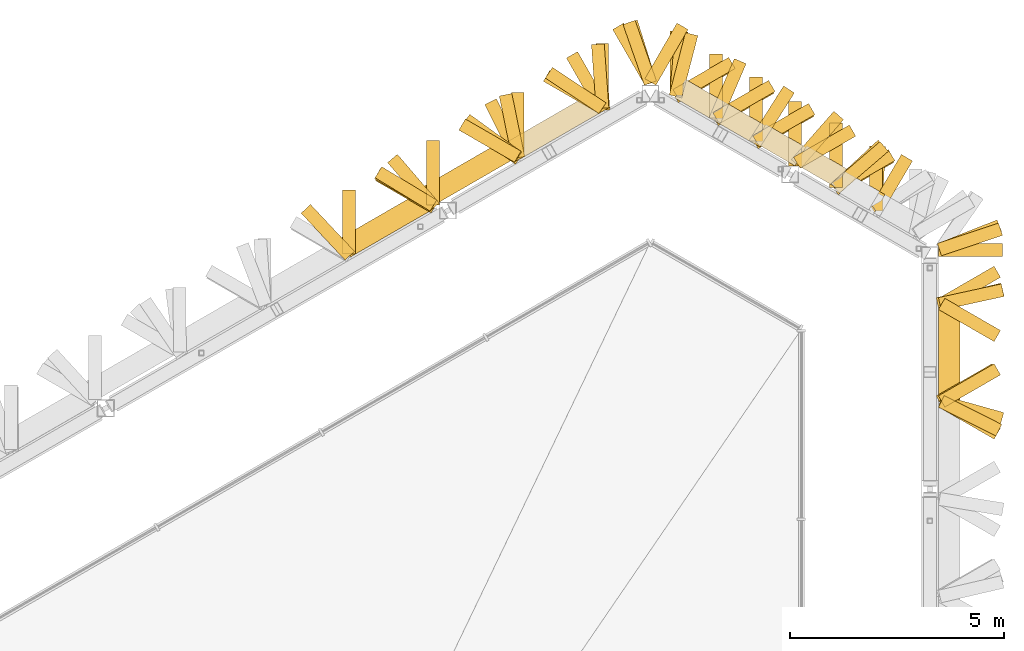
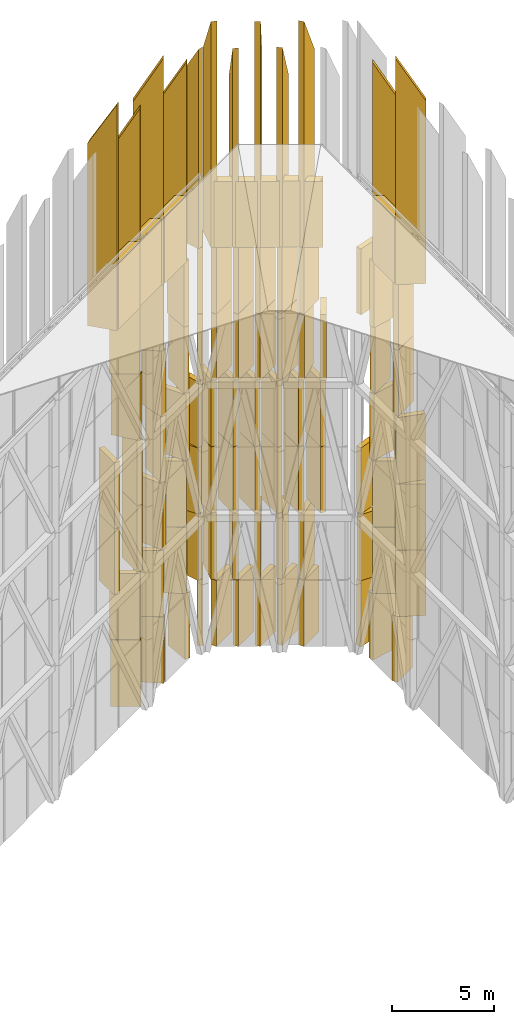
# One storey, part 44 of 45: 96 shading devices.
"""IFC4 building model written with IfcOpenShell, lengths in metres."""

import ifcopenshell
import ifcopenshell.guid

model = None  # the IFC model being written
_history = None  # IfcOwnerHistory: only IFC2X3 demands one
_inside = {}  # id of a spatial element -> (the spatial element, [elements in it])
_under = {}  # id of a project, library or spatial element -> (it, [spatial elements below it])
_declared = {}  # id of a project -> (the project, [libraries it declares])
_typed = {}  # id of a type object -> (the type object, [elements of that type])
_made_of = {}  # id of a material, layer set ... -> (it, [elements and type objects made of it])


def new_model(schema):
    """Start an empty IFC model of exactly this schema.

    Asked for "IFC4X3", IfcOpenShell would pick the latest addendum, in which some entities
    have other attributes; the version numbers below select the first issue.
    IFC2X3 requires an IfcOwnerHistory on every rooted entity: one is made here for all.
    """
    global model, _history
    if schema == "IFC4X3":
        model = ifcopenshell.file(schema_version=(4, 3, 0, 0))
    else:
        model = ifcopenshell.file(schema=schema)
    _inside.clear()
    _under.clear()
    _declared.clear()
    _typed.clear()
    _made_of.clear()
    _history = None
    if model.schema == "IFC2X3":
        org = make("IfcOrganization", Name="unknown")
        user = make(
            "IfcPersonAndOrganization",
            ThePerson=make("IfcPerson", FamilyName="unknown"),
            TheOrganization=org,
        )
        app = make(
            "IfcApplication",
            ApplicationDeveloper=org,
            Version="unknown",
            ApplicationFullName="unknown",
            ApplicationIdentifier="unknown",
        )
        _history = make(
            "IfcOwnerHistory",
            OwningUser=user,
            OwningApplication=app,
            ChangeAction="ADDED",
            CreationDate=0,
        )
    return model


def make(cls, **values):
    """One entity of the class cls with the attributes given. An attribute that is None is left unset."""
    return model.create_entity(
        cls, **{name: value for name, value in values.items() if value is not None}
    )


def rooted(cls, **values):
    """An entity with a GlobalId (a new one), such as an element, a storey or a relation."""
    return make(cls, GlobalId=ifcopenshell.guid.new(), OwnerHistory=_history, **values)


def si_unit(unit_type, name, prefix=None):
    """IfcSIUnit, for example si_unit("LENGTHUNIT", "METRE", prefix="MILLI")."""
    return make("IfcSIUnit", UnitType=unit_type, Prefix=prefix, Name=name)


def assignment(units):
    """IfcUnitAssignment: the units of a project."""
    return None if units is None else make("IfcUnitAssignment", Units=units)


def point(xyz):
    """IfcCartesianPoint."""
    return None if xyz is None else make("IfcCartesianPoint", Coordinates=xyz)


def direction(xyz):
    """IfcDirection."""
    return None if xyz is None else make("IfcDirection", DirectionRatios=xyz)


def frame(location, z_axis=None, x_axis=None):
    """IfcAxis2Placement3D, a coordinate frame: its origin and axes. An axis left out is left unset."""
    return make(
        "IfcAxis2Placement3D",
        Location=point(location),
        Axis=direction(z_axis),
        RefDirection=direction(x_axis),
    )


def frame_2d(location, x_axis=None):
    """IfcAxis2Placement2D, a coordinate frame in the plane: its origin and x axis."""
    return make(
        "IfcAxis2Placement2D", Location=point(location), RefDirection=direction(x_axis)
    )


def origin():
    """The frame at (0, 0, 0) with its axes left unset."""
    return frame((0.0, 0.0, 0.0))


def place(relative_to, where):
    """IfcLocalPlacement: puts the frame where relative to a parent placement (None: the world)."""
    return make(
        "IfcLocalPlacement", PlacementRelTo=relative_to, RelativePlacement=where
    )


def context(
    kind, dimensions, precision=None, world=None, true_north=None, identifier=None
):
    """IfcGeometricRepresentationContext, for example the 3D "Model" context."""
    return make(
        "IfcGeometricRepresentationContext",
        ContextIdentifier=identifier,
        ContextType=kind,
        CoordinateSpaceDimension=dimensions,
        Precision=precision,
        WorldCoordinateSystem=world,
        TrueNorth=true_north,
    )


def subcontext(parent, identifier, kind, view, scale=None):
    """IfcGeometricRepresentationSubContext, for example "Body" below "Model"."""
    return make(
        "IfcGeometricRepresentationSubContext",
        ContextIdentifier=identifier,
        ContextType=kind,
        ParentContext=parent,
        TargetScale=scale,
        TargetView=view,
    )


def project(units=None, contexts=None):
    """IfcProject with its units and contexts."""
    return rooted(
        "IfcProject",
        Name="project",
        RepresentationContexts=contexts,
        UnitsInContext=assignment(units),
    )


def spatial(cls, under=None, at=None, **own):
    """A site, building, storey or space (cls), placed at a placement, below another one or the project."""
    s = rooted(cls, ObjectPlacement=at, **own)
    if under is not None:
        _under.setdefault(under.id(), (under, []))[1].append(s)
    return s


def polyline(points):
    """IfcPolyline through the points."""
    return make("IfcPolyline", Points=[point(p) for p in points])


def profile(cls, at=None, kind="AREA", **sizes):
    """A parametric profile (cls). Its sizes go by their IFC names, for example OverallWidth=200.0."""
    return make(cls, ProfileType=kind, Position=at, **sizes)


def rectangle(**sizes):
    """IfcRectangleProfileDef."""
    return profile("IfcRectangleProfileDef", **sizes)


def outline(outer, holes=None, kind="AREA"):
    """IfcArbitraryClosedProfileDef: a profile drawn as a closed curve; with holes, ...WithVoids."""
    if holes is None:
        return make("IfcArbitraryClosedProfileDef", ProfileType=kind, OuterCurve=outer)
    return make(
        "IfcArbitraryProfileDefWithVoids",
        ProfileType=kind,
        OuterCurve=outer,
        InnerCurves=holes,
    )


def extrude(swept, where, along, depth):
    """IfcExtrudedAreaSolid: the profile swept, set in the frame where, extruded along a direction by depth."""
    return make(
        "IfcExtrudedAreaSolid",
        SweptArea=swept,
        Position=where,
        ExtrudedDirection=direction(along),
        Depth=depth,
    )


def shape(context_of_items, identifier, shape_type, items):
    """IfcShapeRepresentation: the items that make up one representation, for example the "Body"."""
    return make(
        "IfcShapeRepresentation",
        ContextOfItems=context_of_items,
        RepresentationIdentifier=identifier,
        RepresentationType=shape_type,
        Items=items,
    )


def material(Name=None, Category=None):
    """IfcMaterial."""
    return make("IfcMaterial", Name=Name, Category=Category)


def layer(
    of_material, thickness, ventilated=None, Name=None, Category=None, Priority=None
):
    """IfcMaterialLayer: one layer of a wall or slab, of a material (None: an air gap)."""
    return make(
        "IfcMaterialLayer",
        Material=of_material,
        LayerThickness=thickness,
        IsVentilated=ventilated,
        Name=Name,
        Category=Category,
        Priority=Priority,
    )


def layer_set(layers, Name=None):
    """IfcMaterialLayerSet."""
    return make("IfcMaterialLayerSet", MaterialLayers=layers, LayerSetName=Name)


def made_of(thing, what):
    """Note that an element or type object is made of a material, layer set ...; save() writes the relation."""
    if what is not None:
        _made_of.setdefault(what.id(), (what, []))[1].append(thing)
    return thing


def type_object(cls, material=None, **own):
    """A type object (cls), such as IfcWallType, which elements share."""
    return made_of(rooted(cls, **own), material)


def element(
    cls,
    number,
    at=None,
    inside=None,
    cuts=None,
    type_object=None,
    material=None,
    context=None,
    identifier="Body",
    shape_type=None,
    held_by="IfcProductDefinitionShape",
    body=None,
    shapes=None,
    **own,
):
    """One element of the class cls, such as IfcWall. Its Tag is "e" and its number.

    at: its placement. inside: the storey or other place that contains it. cuts: it is an
    opening in that element (IfcRelVoidsElement). A single representation is given by context,
    identifier, shape_type and body (its items); several are given by shapes. held_by: the class
    of the entity that holds the representations. save() writes the other relations.
    """
    e = rooted(cls, Tag="e%d" % number, ObjectPlacement=at, **own)
    if body is not None:
        shapes = [shape(context, identifier, shape_type, body)]
    if shapes is not None:
        e.Representation = make(held_by, Representations=shapes)
    if inside is not None:
        _inside.setdefault(inside.id(), (inside, []))[1].append(e)
    if cuts is not None:
        rooted(
            "IfcRelVoidsElement", RelatingBuildingElement=cuts, RelatedOpeningElement=e
        )
    if type_object is not None:
        _typed.setdefault(type_object.id(), (type_object, []))[1].append(e)
    return made_of(e, material)


def aggregate(whole, parts):
    """IfcRelAggregates: a whole, such as a stair, and the parts it consists of."""
    return rooted("IfcRelAggregates", RelatingObject=whole, RelatedObjects=parts)


def save(model, path):
    """Write the relations noted so far, then the file.

    IfcRelAggregates (storeys below a building ...), IfcRelContainedInSpatialStructure (elements
    in a storey), IfcRelDefinesByType, IfcRelAssociatesMaterial and IfcRelDeclares: one each for
    every whole, place, type object, material and project.
    """
    for whole, parts in _under.values():
        aggregate(whole, parts)
    for where, things in _inside.values():
        rooted(
            "IfcRelContainedInSpatialStructure",
            RelatedElements=things,
            RelatingStructure=where,
        )
    for kind, things in _typed.values():
        rooted("IfcRelDefinesByType", RelatedObjects=things, RelatingType=kind)
    for what, things in _made_of.values():
        rooted("IfcRelAssociatesMaterial", RelatedObjects=things, RelatingMaterial=what)
    for by, libraries in _declared.values():
        rooted("IfcRelDeclares", RelatingContext=by, RelatedDefinitions=libraries)
    model.write(path)


model = new_model("IFC4")

# Units and contexts
model_context = context("Model", 3, precision=1e-05, world=origin(), true_north=direction((0.0, 1.0)))
body_context = subcontext(model_context, "Body", "Model", "MODEL_VIEW")
ifc_project = project(units=[si_unit("LENGTHUNIT", "METRE"), si_unit("AREAUNIT", "SQUARE_METRE"), si_unit("VOLUMEUNIT", "CUBIC_METRE"), si_unit("PLANEANGLEUNIT", "RADIAN"), si_unit("MASSUNIT", "GRAM", prefix="KILO")], contexts=[model_context])

# Site, building, storey
site_placement = place(None, origin())
site = spatial("IfcSite", under=ifc_project, at=site_placement, CompositionType="ELEMENT")
building_placement = place(site_placement, origin())
building = spatial("IfcBuilding", under=site, at=building_placement, Name="Jabali Bay Hotel Tower and Convention Centre", CompositionType="ELEMENT")
storey_placement = place(building_placement, frame((0.0, 0.0, 322.39990234375)))
storey = spatial("IfcBuildingStorey", under=building, at=storey_placement, Name="Crown", CompositionType="ELEMENT", Elevation=322.39990234375)

# Shading devices
ifc_material_1 = material(Name="Aluminium 6063", Category="aluminium")
shading_device_type_1 = type_object("IfcShadingDeviceType", Name="Louvre bank", PredefinedType="USERDEFINED", material=ifc_material_1)
shading_device_1_placement = place(storey_placement, frame((0.0, 0.0, 23.92431640625)))
element("IfcShadingDevice", 1, at=shading_device_1_placement, inside=storey, type_object=shading_device_type_1, Name="Louvre 7.0.19", ObjectType="LOUVRE", PredefinedType="USERDEFINED", context=body_context, shape_type="SweptSolid", body=[
    extrude(outline(polyline([(93.348876953125, 102.6337890625), (93.348876953125, 100.4873046875), (93.416015625, 100.4873046875), (93.483154296875, 100.62158203125), (93.750732421875, 100.4873046875), (93.848876953125, 100.4873046875), (93.848876953125, 102.34521484375), (93.348876953125, 102.6337890625)])), origin(), (0.0, 0.0, 1.0), 3.9658203125),
])
shading_device_2_placement = place(storey_placement, frame((0.0, 0.0, 23.92431640625)))
element("IfcShadingDevice", 2, at=shading_device_2_placement, inside=storey, type_object=shading_device_type_1, Name="Louvre 7.1.22", ObjectType="LOUVRE", PredefinedType="USERDEFINED", context=body_context, shape_type="SweptSolid", body=[
    extrude(outline(polyline([(91.04150390625, 105.349609375), (91.850830078125, 104.88232421875), (91.884033203125, 104.939453125), (91.80029296875, 105.06396484375), (92.05419921875, 105.234375), (92.100830078125, 105.315185546875), (91.4443359375, 105.6943359375), (91.04150390625, 105.349609375)])), origin(), (0.0, 0.0, 1.0), 3.9658203125),
])
shading_device_3_placement = place(storey_placement, frame((0.0, 0.0, 23.92431640625)))
element("IfcShadingDevice", 3, at=shading_device_3_placement, inside=storey, type_object=shading_device_type_1, Name="Louvre 7.1.23", ObjectType="LOUVRE", PredefinedType="USERDEFINED", context=body_context, shape_type="SweptSolid", body=[
    extrude(outline(polyline([(90.153564453125, 105.94677734375), (90.8984375, 105.5166015625), (90.846435546875, 105.577392578125), (91.16943359375, 105.85400390625), (91.20556640625, 105.916748046875), (90.489990234375, 106.329833984375), (90.153564453125, 105.94677734375)])), origin(), (0.0, 0.0, 1.0), 3.9658203125),
])
shading_device_4_placement = place(storey_placement, frame((0.0, 0.0, 23.92431640625)))
element("IfcShadingDevice", 4, at=shading_device_4_placement, inside=storey, type_object=shading_device_type_1, Name="Louvre 7.1.24", ObjectType="LOUVRE", PredefinedType="USERDEFINED", context=body_context, shape_type="SweptSolid", body=[
    extrude(outline(polyline([(89.201416015625, 106.447509765625), (90.00244140625, 105.985107421875), (90.031005859375, 106.034423828125), (89.918212890625, 106.13330078125), (90.19677734375, 106.450439453125), (89.468994140625, 106.870361328125), (89.201416015625, 106.447509765625)])), origin(), (0.0, 0.0, 1.0), 3.9658203125),
])
shading_device_5_placement = place(storey_placement, frame((0.0, 0.0, 23.92431640625)))
element("IfcShadingDevice", 5, at=shading_device_5_placement, inside=storey, type_object=shading_device_type_1, Name="Louvre 7.1.25", ObjectType="LOUVRE", PredefinedType="USERDEFINED", context=body_context, shape_type="SweptSolid", body=[
    extrude(outline(polyline([(88.123291015625, 107.034423828125), (89.05517578125, 106.496337890625), (89.05810546875, 106.501708984375), (88.931396484375, 106.581787109375), (89.192626953125, 106.994384765625), (88.454345703125, 107.420654296875), (88.27001953125, 106.99072265625), (88.132080078125, 107.0498046875), (88.123291015625, 107.034423828125)])), origin(), (0.0, 0.0, 1.0), 3.9658203125),
])
shading_device_6_placement = place(storey_placement, frame((0.0, 0.0, 23.92431640625)))
element("IfcShadingDevice", 6, at=shading_device_6_placement, inside=storey, type_object=shading_device_type_1, Name="Louvre 7.1.26", ObjectType="LOUVRE", PredefinedType="USERDEFINED", context=body_context, shape_type="SweptSolid", body=[
    extrude(outline(polyline([(87.19140625, 107.572509765625), (87.994140625, 107.10888671875), (88.192626953125, 107.57177734375), (87.466064453125, 107.9912109375), (87.3564453125, 107.5693359375), (87.211181640625, 107.60693359375), (87.19140625, 107.572509765625)])), origin(), (0.0, 0.0, 1.0), 3.9658203125),
])
shading_device_7_placement = place(storey_placement, frame((0.0, 0.0, 23.92431640625)))
element("IfcShadingDevice", 7, at=shading_device_7_placement, inside=storey, type_object=shading_device_type_1, Name="Louvre 7.2.28", ObjectType="LOUVRE", PredefinedType="USERDEFINED", context=body_context, shape_type="SweptSolid", body=[
    extrude(outline(polyline([(83.568115234375, 106.13427734375), (85.42333984375, 107.205322265625), (84.958251953125, 107.513916015625), (83.318115234375, 106.567138671875), (83.380859375, 106.458984375), (83.605712890625, 106.3291015625), (83.53076171875, 106.19921875), (83.568115234375, 106.13427734375)])), origin(), (0.0, 0.0, 1.0), 3.9658203125),
])
shading_device_8_placement = place(storey_placement, frame((0.0, 0.0, 23.92431640625)))
element("IfcShadingDevice", 8, at=shading_device_8_placement, inside=storey, type_object=shading_device_type_1, Name="Louvre 7.2.29", ObjectType="LOUVRE", PredefinedType="USERDEFINED", context=body_context, shape_type="SweptSolid", body=[
    extrude(outline(polyline([(81.561767578125, 105.060302734375), (83.382568359375, 106.111572265625), (82.882568359375, 106.400146484375), (81.310302734375, 105.492431640625), (81.405029296875, 105.328369140625), (81.638427734375, 105.186767578125), (81.561767578125, 105.060302734375)])), origin(), (0.0, 0.0, 1.0), 3.9658203125),
])
shading_device_9_placement = place(storey_placement, frame((0.0, 0.0, 23.92431640625)))
element("IfcShadingDevice", 9, at=shading_device_9_placement, inside=storey, type_object=shading_device_type_1, Name="Louvre 7.2.30", ObjectType="LOUVRE", PredefinedType="USERDEFINED", context=body_context, shape_type="SweptSolid", body=[
    extrude(outline(polyline([(79.62548828125, 103.85791015625), (81.48291015625, 104.93017578125), (80.9951171875, 105.22607421875), (79.414794921875, 104.3134765625), (79.718017578125, 103.98974609375), (79.6083984375, 103.88720703125), (79.62548828125, 103.85791015625)])), origin(), (0.0, 0.0, 1.0), 3.9658203125),
])
ifc_material_2 = material(Name="Precast concrete C60", Category="concrete")
ifc_layer = layer(ifc_material_2, 0.300048828125)
ifc_layer_set = layer_set([ifc_layer], Name="Precast concrete C60")
shading_device_type_2 = type_object("IfcShadingDeviceType", Name="Precast fin 3966 x 1500", PredefinedType="USERDEFINED", material=ifc_layer_set)
shading_device_10_placement = place(storey_placement, frame((93.373779296875, 100.4873046875, 0.010009765625), z_axis=(0.0, 0.0, 1.0), x_axis=(0.866031096941, 0.499990139034, 0.0)))
element("IfcShadingDevice", 10, at=shading_device_10_placement, inside=storey, type_object=shading_device_type_2, Name="Fin Crown:0 019", ObjectType="FIN", PredefinedType="USERDEFINED", context=body_context, shape_type="SweptSolid", body=[
    extrude(rectangle(XDim=1.5, YDim=0.300048828125, at=frame_2d((0.75, 0.0))), origin(), (0.0, 0.0, 1.0), 3.9658203125),
])
shading_device_11_placement = place(storey_placement, frame((93.33056640625, 102.763671875, 0.010009765625), z_axis=(0.0, 0.0, 1.0), x_axis=(0.977082267645, 0.212862026329, 0.0)))
element("IfcShadingDevice", 11, at=shading_device_11_placement, inside=storey, type_object=shading_device_type_2, Name="Fin Crown:0 020", ObjectType="FIN", PredefinedType="USERDEFINED", context=body_context, shape_type="SweptSolid", body=[
    extrude(rectangle(XDim=1.500244140625, YDim=0.300048828125, at=frame_2d((0.75, 0.0))), origin(), (0.0, 0.0, 1.0), 3.9658203125),
])
for number, where, z_axis, x_axis, name in (
    (12, (90.931396484375, 105.44189453125, 0.010009765625), (0.0, 0.0, 1.0), (0.866031096941, 0.499990139034, 0.0), "Fin Crown:0 023"),
    (13, (90.044677734375, 106.058349609375, 0.010009765625), (0.0, 0.0, 1.0), (0.866031096941, 0.499990139034, 0.0), "Fin Crown:0 024"),
    (14, (89.067626953125, 106.51806640625, 0.010009765625), (0.0, 0.0, 1.0), (0.866031096941, 0.499990139034, 0.0), "Fin Crown:0 025"),
    (15, (88.1357421875, 107.05615234375, 0.010009765625), (0.0, 0.0, 1.0), (0.866031096941, 0.499990139034, 0.0), "Fin Crown:0 026"),
    (16, (87.203857421875, 107.593994140625, 0.010009765625), (0.0, 0.0, 1.0), (0.866031096941, 0.499990139034, 0.0), "Fin Crown:0 027"),
    (17, (85.531982421875, 107.285888671875, 0.010009765625), (0.0, 0.0, 1.0), (-0.071779122623, 0.997420552002, 0.0), "Fin Crown:0 028"),
    (18, (83.5625, 106.14404296875, 0.010009765625), (0.0, 0.0, 1.0), (-0.810443093199, 0.585817371445, 0.0), "Fin Crown:0 029"),
):
    element("IfcShadingDevice", number, at=place(storey_placement, frame(where, z_axis=z_axis, x_axis=x_axis)), inside=storey, type_object=shading_device_type_2, Name=name, ObjectType="FIN", PredefinedType="USERDEFINED", context=body_context, shape_type="SweptSolid", body=[
        extrude(rectangle(XDim=1.5, YDim=0.300048828125, at=frame_2d((0.75, 0.0))), origin(), (0.0, 0.0, 1.0), 3.9658203125),
    ])
shading_device_12_placement = place(storey_placement, frame((81.584228515625, 105.017578125, 0.010009765625), z_axis=(0.0, 0.0, 1.0), x_axis=(-0.86599040064, 0.500060622324, 0.0)))
element("IfcShadingDevice", 19, at=shading_device_12_placement, inside=storey, type_object=shading_device_type_2, Name="Fin Crown:0 030", ObjectType="FIN", PredefinedType="USERDEFINED", context=body_context, shape_type="SweptSolid", body=[
    extrude(rectangle(XDim=1.499755859375, YDim=0.300048828125, at=frame_2d((0.75, 0.0))), origin(), (0.0, 0.0, 1.0), 3.9658203125),
])
shading_device_13_placement = place(storey_placement, frame((93.372314453125, 104.031005859375, 0.010009765625), z_axis=(0.0, 0.0, 1.0), x_axis=(0.948797157247, 0.315885983228, 0.0)))
element("IfcShadingDevice", 20, at=shading_device_13_placement, inside=storey, type_object=shading_device_type_2, Name="Fin Crown:0 085", ObjectType="FIN", PredefinedType="USERDEFINED", context=body_context, shape_type="SweptSolid", body=[
    extrude(rectangle(XDim=1.500244140625, YDim=0.300048828125, at=frame_2d((0.75, 0.0))), origin(), (0.0, 0.0, 1.0), 3.9658203125),
])
shading_device_14_placement = place(storey_placement, frame((86.625244140625, 107.943359375, 0.010009765625), z_axis=(0.0, 0.0, 1.0), x_axis=(0.500060622324, 0.86599040064, 0.0)))
element("IfcShadingDevice", 21, at=shading_device_14_placement, inside=storey, type_object=shading_device_type_2, Name="Fin Crown:0 086", ObjectType="FIN", PredefinedType="USERDEFINED", context=body_context, shape_type="SweptSolid", body=[
    extrude(rectangle(XDim=1.499755859375, YDim=0.300048828125, at=frame_2d((0.75, 0.0))), origin(), (0.0, 0.0, 1.0), 3.9658203125),
])
for number, where, z_axis, x_axis, name in (
    (22, (93.416015625, 100.4873046875, 3.995849609375), (0.0, 0.0, 1.0), (0.894068821012, -0.447929618683, 0.0), "Fin Crown:1 019"),
    (23, (93.423828125, 102.763671875, 3.995849609375), (0.0, 0.0, 1.0), (0.866031096941, -0.499990139034, 0.0), "Fin Crown:1 020"),
    (24, (90.94384765625, 105.46337890625, 3.995849609375), (0.0, 0.0, 1.0), (0.759601164229, 0.650389169115, 0.0), "Fin Crown:1 023"),
):
    element("IfcShadingDevice", number, at=place(storey_placement, frame(where, z_axis=z_axis, x_axis=x_axis)), inside=storey, type_object=shading_device_type_2, Name=name, ObjectType="FIN", PredefinedType="USERDEFINED", context=body_context, shape_type="SweptSolid", body=[
        extrude(rectangle(XDim=1.5, YDim=0.300048828125, at=frame_2d((0.75, 0.0))), origin(), (0.0, 0.0, 1.0), 3.965576171875),
    ])
shading_device_15_placement = place(storey_placement, frame((90.031005859375, 106.034423828125, 3.995849609375), z_axis=(0.0, 0.0, 1.0), x_axis=(0.659886356112, 0.75136542176, 0.0)))
element("IfcShadingDevice", 25, at=shading_device_15_placement, inside=storey, type_object=shading_device_type_2, Name="Fin Crown:1 024", ObjectType="FIN", PredefinedType="USERDEFINED", context=body_context, shape_type="SweptSolid", body=[
    extrude(rectangle(XDim=1.499755859375, YDim=0.300048828125, at=frame_2d((0.75, 0.0))), origin(), (0.0, 0.0, 1.0), 3.965576171875),
])
for number, where, z_axis, x_axis, name in (
    (26, (89.05810546875, 106.501708984375, 3.995849609375), (0.0, 0.0, 1.0), (0.534862319913, 0.844939227836, 0.0), "Fin Crown:1 025"),
    (27, (88.132080078125, 107.0498046875, 3.995849609375), (0.0, 0.0, 1.0), (0.394037154593, 0.919094511354, 0.0), "Fin Crown:1 026"),
):
    element("IfcShadingDevice", number, at=place(storey_placement, frame(where, z_axis=z_axis, x_axis=x_axis)), inside=storey, type_object=shading_device_type_2, Name=name, ObjectType="FIN", PredefinedType="USERDEFINED", context=body_context, shape_type="SweptSolid", body=[
        extrude(rectangle(XDim=1.5, YDim=0.300048828125, at=frame_2d((0.75, 0.0))), origin(), (0.0, 0.0, 1.0), 3.965576171875),
    ])
for number, where, z_axis, x_axis, name in (
    (28, (87.211181640625, 107.60693359375, 3.995849609375), (0.0, 0.0, 1.0), (0.251600315263, 0.967831225659, 0.0), "Fin Crown:1 027"),
    (29, (85.50634765625, 107.330078125, 3.995849609375), (0.0, 0.0, 1.0), (-0.833075394923, 0.55315945836, 0.0), "Fin Crown:1 028"),
):
    element("IfcShadingDevice", number, at=place(storey_placement, frame(where, z_axis=z_axis, x_axis=x_axis)), inside=storey, type_object=shading_device_type_2, Name=name, ObjectType="FIN", PredefinedType="USERDEFINED", context=body_context, shape_type="SweptSolid", body=[
        extrude(rectangle(XDim=1.500244140625, YDim=0.300048828125, at=frame_2d((0.75, 0.0))), origin(), (0.0, 0.0, 1.0), 3.965576171875),
    ])
for number, where, z_axis, x_axis, name in (
    (30, (83.53076171875, 106.19921875, 3.995849609375), (0.0, 0.0, 1.0), (-0.866031096941, 0.499990139034, 0.0), "Fin Crown:1 029"),
    (31, (81.560791015625, 105.05859375, 3.995849609375), (0.0, 0.0, 1.0), (-0.855143172533, 0.518391892752, 0.0), "Fin Crown:1 030"),
    (32, (93.348876953125, 104.017333984375, 3.995849609375), (0.0, 0.0, 1.0), (1.0, 0.0, 0.0), "Fin Crown:1 085"),
    (33, (86.625244140625, 107.91796875, 3.995849609375), (0.0, 0.0, 1.0), (-0.331517316908, 0.943449134077, 0.0), "Fin Crown:1 086"),
):
    element("IfcShadingDevice", number, at=place(storey_placement, frame(where, z_axis=z_axis, x_axis=x_axis)), inside=storey, type_object=shading_device_type_2, Name=name, ObjectType="FIN", PredefinedType="USERDEFINED", context=body_context, shape_type="SweptSolid", body=[
        extrude(rectangle(XDim=1.5, YDim=0.300048828125, at=frame_2d((0.75, 0.0))), origin(), (0.0, 0.0, 1.0), 3.965576171875),
    ])
for number, where, z_axis, x_axis, name in (
    (34, (93.423828125, 100.4873046875, 7.9814453125), (0.0, 0.0, 1.0), (0.866031096941, -0.499990139034, 0.0), "Fin Crown:2 019"),
    (35, (93.423828125, 102.763671875, 7.9814453125), (0.0, 0.0, 1.0), (0.866031096941, -0.499990139034, 0.0), "Fin Crown:2 020"),
    (36, (91.885009765625, 104.941162109375, 7.9814453125), (0.0, 0.0, 1.0), (0.052567375106, 0.998617379718, 0.0), "Fin Crown:2 022"),
    (37, (90.95654296875, 105.485107421875, 7.9814453125), (0.0, 0.0, 1.0), (0.0, 1.0, 0.0), "Fin Crown:2 023"),
    (38, (90.00244140625, 105.985107421875, 7.9814453125), (0.0, 0.0, 1.0), (0.0, 1.0, 0.0), "Fin Crown:2 024"),
    (39, (89.092529296875, 106.561279296875, 7.9814453125), (0.0, 0.0, 1.0), (0.0, 1.0, 0.0), "Fin Crown:2 025"),
    (40, (88.16064453125, 107.099365234375, 7.9814453125), (0.0, 0.0, 1.0), (0.0, 1.0, 0.0), "Fin Crown:2 026"),
    (41, (87.228759765625, 107.637451171875, 7.9814453125), (0.0, 0.0, 1.0), (0.0, 1.0, 0.0), "Fin Crown:2 027"),
    (42, (85.502197265625, 107.33740234375, 7.9814453125), (0.0, 0.0, 1.0), (-0.866031096941, 0.499990139034, 0.0), "Fin Crown:2 028"),
    (43, (83.563720703125, 106.14208984375, 7.9814453125), (0.0, 0.0, 1.0), (-0.446432209239, 0.894817457672, 0.0), "Fin Crown:2 029"),
    (44, (81.5498046875, 105.077392578125, 7.9814453125), (0.0, 0.0, 1.0), (0.0, 1.0, 0.0), "Fin Crown:2 030"),
    (45, (79.587890625, 103.9228515625, 7.9814453125), (0.0, 0.0, 1.0), (0.0, 1.0, 0.0), "Fin Crown:2 031"),
    (46, (93.3759765625, 104.033203125, 7.9814453125), (0.0, 0.0, 1.0), (0.930017652611, 0.367514851172, 0.0), "Fin Crown:2 085"),
):
    element("IfcShadingDevice", number, at=place(storey_placement, frame(where, z_axis=z_axis, x_axis=x_axis)), inside=storey, type_object=shading_device_type_2, Name=name, ObjectType="FIN", PredefinedType="USERDEFINED", context=body_context, shape_type="SweptSolid", body=[
        extrude(rectangle(XDim=1.5, YDim=0.300048828125, at=frame_2d((0.75, 0.0))), origin(), (0.0, 0.0, 1.0), 3.9658203125),
    ])
shading_device_16_placement = place(storey_placement, frame((86.625244140625, 107.943359375, 7.9814453125), z_axis=(0.0, 0.0, 1.0), x_axis=(-0.500060622324, 0.86599040064, 0.0)))
element("IfcShadingDevice", 47, at=shading_device_16_placement, inside=storey, type_object=shading_device_type_2, Name="Fin Crown:2 086", ObjectType="FIN", PredefinedType="USERDEFINED", context=body_context, shape_type="SweptSolid", body=[
    extrude(rectangle(XDim=1.499755859375, YDim=0.300048828125, at=frame_2d((0.75, 0.0))), origin(), (0.0, 0.0, 1.0), 3.9658203125),
])
for number, where, z_axis, x_axis, name in (
    (48, (93.38916015625, 100.4873046875, 11.96728515625), (0.0, 0.0, 1.0), (0.962942040271, -0.269708411212, 0.0), "Fin Crown:3 019"),
    (49, (93.3828125, 102.763671875, 11.96728515625), (0.0, 0.0, 1.0), (0.973994663293, 0.226570951087, 0.0), "Fin Crown:3 020"),
    (50, (91.888427734375, 104.947265625, 11.96728515625), (0.0, 0.0, 1.0), (0.0, 1.0, 0.0), "Fin Crown:3 022"),
    (51, (90.95654296875, 105.485107421875, 11.96728515625), (0.0, 0.0, 1.0), (0.0, 1.0, 0.0), "Fin Crown:3 023"),
    (52, (90.00244140625, 105.985107421875, 11.96728515625), (0.0, 0.0, 1.0), (0.0, 1.0, 0.0), "Fin Crown:3 024"),
    (53, (89.092529296875, 106.561279296875, 11.96728515625), (0.0, 0.0, 1.0), (0.0, 1.0, 0.0), "Fin Crown:3 025"),
    (54, (88.16064453125, 107.099365234375, 11.96728515625), (0.0, 0.0, 1.0), (0.0, 1.0, 0.0), "Fin Crown:3 026"),
    (55, (87.222900390625, 107.627197265625, 11.96728515625), (0.0, 0.0, 1.0), (0.088378305728, 0.996086981682, 0.0), "Fin Crown:3 027"),
    (56, (85.539306640625, 107.273193359375, 11.96728515625), (0.0, 0.0, 1.0), (-0.495121961839, 0.868823482017, 0.0), "Fin Crown:3 028"),
    (57, (83.53076171875, 106.19921875, 11.96728515625), (0.0, 0.0, 1.0), (0.0, 1.0, 0.0), "Fin Crown:3 029"),
    (58, (81.5498046875, 105.077392578125, 11.96728515625), (0.0, 0.0, 1.0), (0.0, 1.0, 0.0), "Fin Crown:3 030"),
    (59, (79.587890625, 103.9228515625, 11.96728515625), (0.0, 0.0, 1.0), (0.0, 1.0, 0.0), "Fin Crown:3 031"),
    (60, (86.625244140625, 107.9130859375, 11.96728515625), (0.0, 0.0, 1.0), (-0.298349134521, 0.954456805691, 0.0), "Fin Crown:3 086"),
):
    element("IfcShadingDevice", number, at=place(storey_placement, frame(where, z_axis=z_axis, x_axis=x_axis)), inside=storey, type_object=shading_device_type_2, Name=name, ObjectType="FIN", PredefinedType="USERDEFINED", context=body_context, shape_type="SweptSolid", body=[
        extrude(rectangle(XDim=1.5, YDim=0.300048828125, at=frame_2d((0.75, 0.0))), origin(), (0.0, 0.0, 1.0), 3.965576171875),
    ])
for number, where, z_axis, x_axis, name in (
    (61, (93.423828125, 100.4873046875, 15.952880859375), (0.0, 0.0, 1.0), (0.866031096941, 0.499990139034, 0.0), "Fin Crown:4 019"),
    (62, (93.423828125, 102.763671875, 15.952880859375), (0.0, 0.0, 1.0), (0.866031096941, 0.499990139034, 0.0), "Fin Crown:4 020"),
    (63, (91.8515625, 104.883544921875, 15.952880859375), (0.0, 0.0, 1.0), (0.507994309516, 0.861360424851, 0.0), "Fin Crown:4 022"),
    (64, (90.941162109375, 105.458740234375, 15.952880859375), (0.0, 0.0, 1.0), (0.734079155059, 0.679063910179, 0.0), "Fin Crown:4 023"),
    (65, (90.044677734375, 106.058349609375, 15.952880859375), (0.0, 0.0, 1.0), (0.866031096941, 0.499990139034, 0.0), "Fin Crown:4 024"),
    (66, (89.092529296875, 106.561279296875, 15.952880859375), (0.0, 0.0, 1.0), (0.866031096941, 0.499990139034, 0.0), "Fin Crown:4 025"),
    (67, (88.16064453125, 107.099365234375, 15.952880859375), (0.0, 0.0, 1.0), (0.866031096941, 0.499990139034, 0.0), "Fin Crown:4 026"),
    (68, (87.228759765625, 107.637451171875, 15.952880859375), (0.0, 0.0, 1.0), (0.866031096941, 0.499990139034, 0.0), "Fin Crown:4 027"),
    (69, (85.502197265625, 107.33740234375, 15.952880859375), (0.0, 0.0, 1.0), (0.0, 1.0, 0.0), "Fin Crown:4 028"),
    (70, (83.54443359375, 106.17529296875, 15.952880859375), (0.0, 0.0, 1.0), (-0.19937007629, 0.979924268849, 0.0), "Fin Crown:4 029"),
):
    element("IfcShadingDevice", number, at=place(storey_placement, frame(where, z_axis=z_axis, x_axis=x_axis)), inside=storey, type_object=shading_device_type_2, Name=name, ObjectType="FIN", PredefinedType="USERDEFINED", context=body_context, shape_type="SweptSolid", body=[
        extrude(rectangle(XDim=1.5, YDim=0.300048828125, at=frame_2d((0.75, 0.0))), origin(), (0.0, 0.0, 1.0), 3.9658203125),
    ])
shading_device_17_placement = place(storey_placement, frame((81.5830078125, 105.02001953125, 15.952880859375), z_axis=(0.0, 0.0, 1.0), x_axis=(-0.651621928994, 0.758543908851, 0.0)))
element("IfcShadingDevice", 71, at=shading_device_17_placement, inside=storey, type_object=shading_device_type_2, Name="Fin Crown:4 030", ObjectType="FIN", PredefinedType="USERDEFINED", context=body_context, shape_type="SweptSolid", body=[
    extrude(rectangle(XDim=1.500244140625, YDim=0.300048828125, at=frame_2d((0.75, 0.0))), origin(), (0.0, 0.0, 1.0), 3.9658203125),
])
shading_device_18_placement = place(storey_placement, frame((86.625244140625, 107.943359375, 15.952880859375), z_axis=(0.0, 0.0, 1.0), x_axis=(0.500060622324, 0.86599040064, 0.0)))
element("IfcShadingDevice", 72, at=shading_device_18_placement, inside=storey, type_object=shading_device_type_2, Name="Fin Crown:4 086", ObjectType="FIN", PredefinedType="USERDEFINED", context=body_context, shape_type="SweptSolid", body=[
    extrude(rectangle(XDim=1.499755859375, YDim=0.300048828125, at=frame_2d((0.75, 0.0))), origin(), (0.0, 0.0, 1.0), 3.9658203125),
])
shading_device_19_placement = place(storey_placement, frame((93.423828125, 100.4873046875, 19.938720703125), z_axis=(0.0, 0.0, 1.0), x_axis=(0.866031096941, 0.499990139034, 0.0)))
element("IfcShadingDevice", 73, at=shading_device_19_placement, inside=storey, type_object=shading_device_type_2, Name="Fin Crown:5 019", ObjectType="FIN", PredefinedType="USERDEFINED", context=body_context, shape_type="SweptSolid", body=[
    extrude(rectangle(XDim=1.5, YDim=0.300048828125, at=frame_2d((0.75, 0.0))), origin(), (0.0, 0.0, 1.0), 3.965576171875),
])
shading_device_20_placement = place(storey_placement, frame((93.380615234375, 102.763671875, 19.938720703125), z_axis=(0.0, 0.0, 1.0), x_axis=(0.977082267645, 0.212862026329, 0.0)))
element("IfcShadingDevice", 74, at=shading_device_20_placement, inside=storey, type_object=shading_device_type_2, Name="Fin Crown:5 020", ObjectType="FIN", PredefinedType="USERDEFINED", context=body_context, shape_type="SweptSolid", body=[
    extrude(rectangle(XDim=1.500244140625, YDim=0.300048828125, at=frame_2d((0.75, 0.0))), origin(), (0.0, 0.0, 1.0), 3.965576171875),
])
for number, where, z_axis, x_axis, name in (
    (75, (90.95654296875, 105.485107421875, 19.938720703125), (0.0, 0.0, 1.0), (0.866031096941, 0.499990139034, 0.0), "Fin Crown:5 023"),
    (76, (90.044677734375, 106.058349609375, 19.938720703125), (0.0, 0.0, 1.0), (0.866031096941, 0.499990139034, 0.0), "Fin Crown:5 024"),
    (77, (89.092529296875, 106.561279296875, 19.938720703125), (0.0, 0.0, 1.0), (0.866031096941, 0.499990139034, 0.0), "Fin Crown:5 025"),
    (78, (88.16064453125, 107.099365234375, 19.938720703125), (0.0, 0.0, 1.0), (0.866031096941, 0.499990139034, 0.0), "Fin Crown:5 026"),
    (79, (87.228759765625, 107.637451171875, 19.938720703125), (0.0, 0.0, 1.0), (0.866031096941, 0.499990139034, 0.0), "Fin Crown:5 027"),
    (80, (85.5068359375, 107.3291015625, 19.938720703125), (0.0, 0.0, 1.0), (-0.071617193939, 0.997432191947, 0.0), "Fin Crown:5 028"),
    (81, (83.53759765625, 106.187255859375, 19.938720703125), (0.0, 0.0, 1.0), (-0.810365813863, 0.585924267907, 0.0), "Fin Crown:5 029"),
    (82, (81.559326171875, 105.06103515625, 19.938720703125), (0.0, 0.0, 1.0), (-0.866031096941, 0.499990139034, 0.0), "Fin Crown:5 030"),
):
    element("IfcShadingDevice", number, at=place(storey_placement, frame(where, z_axis=z_axis, x_axis=x_axis)), inside=storey, type_object=shading_device_type_2, Name=name, ObjectType="FIN", PredefinedType="USERDEFINED", context=body_context, shape_type="SweptSolid", body=[
        extrude(rectangle(XDim=1.5, YDim=0.300048828125, at=frame_2d((0.75, 0.0))), origin(), (0.0, 0.0, 1.0), 3.965576171875),
    ])
shading_device_21_placement = place(storey_placement, frame((93.372314453125, 104.031005859375, 19.938720703125), z_axis=(0.0, 0.0, 1.0), x_axis=(0.948797157247, 0.315885983228, 0.0)))
element("IfcShadingDevice", 83, at=shading_device_21_placement, inside=storey, type_object=shading_device_type_2, Name="Fin Crown:5 085", ObjectType="FIN", PredefinedType="USERDEFINED", context=body_context, shape_type="SweptSolid", body=[
    extrude(rectangle(XDim=1.500244140625, YDim=0.300048828125, at=frame_2d((0.75, 0.0))), origin(), (0.0, 0.0, 1.0), 3.965576171875),
])
shading_device_22_placement = place(storey_placement, frame((86.625244140625, 107.943359375, 19.938720703125), z_axis=(0.0, 0.0, 1.0), x_axis=(0.500060622324, 0.86599040064, 0.0)))
element("IfcShadingDevice", 84, at=shading_device_22_placement, inside=storey, type_object=shading_device_type_2, Name="Fin Crown:5 086", ObjectType="FIN", PredefinedType="USERDEFINED", context=body_context, shape_type="SweptSolid", body=[
    extrude(rectangle(XDim=1.499755859375, YDim=0.300048828125, at=frame_2d((0.75, 0.0))), origin(), (0.0, 0.0, 1.0), 3.965576171875),
])
shading_device_23_placement = place(storey_placement, frame((93.416015625, 100.4873046875, 23.92431640625), z_axis=(0.0, 0.0, 1.0), x_axis=(0.894068821012, -0.447929618683, 0.0)))
element("IfcShadingDevice", 85, at=shading_device_23_placement, inside=storey, type_object=shading_device_type_2, Name="Fin Crown:6 019", ObjectType="FIN", PredefinedType="USERDEFINED", context=body_context, shape_type="SweptSolid", body=[
    extrude(outline(polyline([(0.0, 0.0), (1.5, 0.0), (1.5, 10.9677734375), (0.0, 13.565673828125), (0.0, 0.0)])), frame((0.0, 0.14990234375, 0.0), z_axis=(0.0, -1.0, 0.0), x_axis=(1.0, 0.0, 0.0)), (0.0, 0.0, 1.0), 0.300048828125),
])
shading_device_24_placement = place(storey_placement, frame((93.423828125, 102.763671875, 23.92431640625), z_axis=(0.0, 0.0, 1.0), x_axis=(0.866031096941, -0.499990139034, 0.0)))
element("IfcShadingDevice", 86, at=shading_device_24_placement, inside=storey, type_object=shading_device_type_2, Name="Fin Crown:6 020", ObjectType="FIN", PredefinedType="USERDEFINED", context=body_context, shape_type="SweptSolid", body=[
    extrude(outline(polyline([(0.0, 0.0), (1.5, 0.0), (1.5, 9.36767578125), (0.0, 11.9658203125), (0.0, 0.0)])), frame((0.0, 0.14990234375, 0.0), z_axis=(0.0, -1.0, 0.0), x_axis=(1.0, 0.0, 0.0)), (0.0, 0.0, 1.0), 0.300048828125),
])
shading_device_25_placement = place(storey_placement, frame((90.94384765625, 105.46337890625, 23.92431640625), z_axis=(0.0, 0.0, 1.0), x_axis=(0.759601164229, 0.650389169115, 0.0)))
element("IfcShadingDevice", 87, at=shading_device_25_placement, inside=storey, type_object=shading_device_type_2, Name="Fin Crown:6 023", ObjectType="FIN", PredefinedType="USERDEFINED", context=body_context, shape_type="SweptSolid", body=[
    extrude(outline(polyline([(0.0, 0.0), (1.5, 0.0), (1.5, 10.9677734375), (0.0, 13.565673828125), (0.0, 0.0)])), frame((0.0, 0.14990234375, 0.0), z_axis=(0.0, -1.0, 0.0), x_axis=(1.0, 0.0, 0.0)), (0.0, 0.0, 1.0), 0.300048828125),
])
shading_device_26_placement = place(storey_placement, frame((90.031005859375, 106.034423828125, 23.92431640625), z_axis=(0.0, 0.0, 1.0), x_axis=(0.659886356112, 0.75136542176, 0.0)))
element("IfcShadingDevice", 88, at=shading_device_26_placement, inside=storey, type_object=shading_device_type_2, Name="Fin Crown:6 024", ObjectType="FIN", PredefinedType="USERDEFINED", context=body_context, shape_type="SweptSolid", body=[
    extrude(outline(polyline([(0.0, 0.0), (1.499755859375, 0.0), (1.5, 9.36767578125), (0.0, 11.9658203125), (0.0, 0.0)])), frame((0.0, 0.14990234375, 0.0), z_axis=(0.0, -1.0, 0.0), x_axis=(1.0, 0.0, 0.0)), (0.0, 0.0, 1.0), 0.300048828125),
])
shading_device_27_placement = place(storey_placement, frame((89.05810546875, 106.501708984375, 23.92431640625), z_axis=(0.0, 0.0, 1.0), x_axis=(0.534862319913, 0.844939227836, 0.0)))
element("IfcShadingDevice", 89, at=shading_device_27_placement, inside=storey, type_object=shading_device_type_2, Name="Fin Crown:6 025", ObjectType="FIN", PredefinedType="USERDEFINED", context=body_context, shape_type="SweptSolid", body=[
    extrude(outline(polyline([(0.0, 0.0), (1.5, 0.0), (1.5, 10.9677734375), (0.0, 13.565673828125), (0.0, 0.0)])), frame((0.0, 0.14990234375, 0.0), z_axis=(0.0, -1.0, 0.0), x_axis=(1.0, 0.0, 0.0)), (0.0, 0.0, 1.0), 0.300048828125),
])
shading_device_28_placement = place(storey_placement, frame((88.132080078125, 107.0498046875, 23.92431640625), z_axis=(0.0, 0.0, 1.0), x_axis=(0.394037154593, 0.919094511354, 0.0)))
element("IfcShadingDevice", 90, at=shading_device_28_placement, inside=storey, type_object=shading_device_type_2, Name="Fin Crown:6 026", ObjectType="FIN", PredefinedType="USERDEFINED", context=body_context, shape_type="SweptSolid", body=[
    extrude(outline(polyline([(0.0, 0.0), (1.5, 0.0), (1.5, 9.36767578125), (0.0, 11.9658203125), (0.0, 0.0)])), frame((0.0, 0.14990234375, 0.0), z_axis=(0.0, -1.0, 0.0), x_axis=(1.0, 0.0, 0.0)), (0.0, 0.0, 1.0), 0.300048828125),
])
shading_device_29_placement = place(storey_placement, frame((87.211181640625, 107.60693359375, 23.92431640625), z_axis=(0.0, 0.0, 1.0), x_axis=(0.251600315263, 0.967831225659, 0.0)))
element("IfcShadingDevice", 91, at=shading_device_29_placement, inside=storey, type_object=shading_device_type_2, Name="Fin Crown:6 027", ObjectType="FIN", PredefinedType="USERDEFINED", context=body_context, shape_type="SweptSolid", body=[
    extrude(outline(polyline([(0.0, 0.0), (1.500244140625, 0.0), (1.5, 10.9677734375), (0.0, 13.565673828125), (0.0, 0.0)])), frame((0.0, 0.14990234375, 0.0), z_axis=(0.0, -1.0, 0.0), x_axis=(1.0, 0.0, 0.0)), (0.0, 0.0, 1.0), 0.300048828125),
])
shading_device_30_placement = place(storey_placement, frame((85.50634765625, 107.330078125, 23.92431640625), z_axis=(0.0, 0.0, 1.0), x_axis=(-0.833075394923, 0.55315945836, 0.0)))
element("IfcShadingDevice", 92, at=shading_device_30_placement, inside=storey, type_object=shading_device_type_2, Name="Fin Crown:6 028", ObjectType="FIN", PredefinedType="USERDEFINED", context=body_context, shape_type="SweptSolid", body=[
    extrude(outline(polyline([(0.0, 0.0), (1.500244140625, 0.0), (1.5, 9.36767578125), (0.0, 11.9658203125), (0.0, 0.0)])), frame((0.0, 0.14990234375, 0.0), z_axis=(0.0, -1.0, 0.0), x_axis=(1.0, 0.0, 0.0)), (0.0, 0.0, 1.0), 0.300048828125),
])
shading_device_31_placement = place(storey_placement, frame((83.53076171875, 106.19921875, 23.92431640625), z_axis=(0.0, 0.0, 1.0), x_axis=(-0.866031096941, 0.499990139034, 0.0)))
element("IfcShadingDevice", 93, at=shading_device_31_placement, inside=storey, type_object=shading_device_type_2, Name="Fin Crown:6 029", ObjectType="FIN", PredefinedType="USERDEFINED", context=body_context, shape_type="SweptSolid", body=[
    extrude(outline(polyline([(0.0, 0.0), (1.5, 0.0), (1.5, 10.9677734375), (0.0, 13.565673828125), (0.0, 0.0)])), frame((0.0, 0.14990234375, 0.0), z_axis=(0.0, -1.0, 0.0), x_axis=(1.0, 0.0, 0.0)), (0.0, 0.0, 1.0), 0.300048828125),
])
shading_device_32_placement = place(storey_placement, frame((81.560791015625, 105.05859375, 23.92431640625), z_axis=(0.0, 0.0, 1.0), x_axis=(-0.855143172533, 0.518391892752, 0.0)))
element("IfcShadingDevice", 94, at=shading_device_32_placement, inside=storey, type_object=shading_device_type_2, Name="Fin Crown:6 030", ObjectType="FIN", PredefinedType="USERDEFINED", context=body_context, shape_type="SweptSolid", body=[
    extrude(outline(polyline([(0.0, 0.0), (1.5, 0.0), (1.5, 9.36767578125), (0.0, 11.9658203125), (0.0, 0.0)])), frame((0.0, 0.14990234375, 0.0), z_axis=(0.0, -1.0, 0.0), x_axis=(1.0, 0.0, 0.0)), (0.0, 0.0, 1.0), 0.300048828125),
])
shading_device_33_placement = place(storey_placement, frame((79.6083984375, 103.88720703125, 23.92431640625), z_axis=(0.0, 0.0, 1.0), x_axis=(-0.683448280265, 0.729998937125, 0.0)))
element("IfcShadingDevice", 95, at=shading_device_33_placement, inside=storey, type_object=shading_device_type_2, Name="Fin Crown:6 031", ObjectType="FIN", PredefinedType="USERDEFINED", context=body_context, shape_type="SweptSolid", body=[
    extrude(outline(polyline([(0.0, 0.0), (1.5, 0.0), (1.5, 10.9677734375), (0.0, 13.565673828125), (0.0, 0.0)])), frame((0.0, 0.14990234375, 0.0), z_axis=(0.0, -1.0, 0.0), x_axis=(1.0, 0.0, 0.0)), (0.0, 0.0, 1.0), 0.300048828125),
])
shading_device_34_placement = place(storey_placement, frame((86.625244140625, 107.91796875, 23.92431640625), z_axis=(0.0, 0.0, 1.0), x_axis=(-0.331517316908, 0.943449134077, 0.0)))
element("IfcShadingDevice", 96, at=shading_device_34_placement, inside=storey, type_object=shading_device_type_2, Name="Fin Crown:6 086", ObjectType="FIN", PredefinedType="USERDEFINED", context=body_context, shape_type="SweptSolid", body=[
    extrude(outline(polyline([(0.0, 0.0), (1.5, 0.0), (1.5, 9.36767578125), (0.0, 11.9658203125), (0.0, 0.0)])), frame((0.0, 0.14990234375, 0.0), z_axis=(0.0, -1.0, 0.0), x_axis=(1.0, 0.0, 0.0)), (0.0, 0.0, 1.0), 0.300048828125),
])

save(model, "model.ifc")
